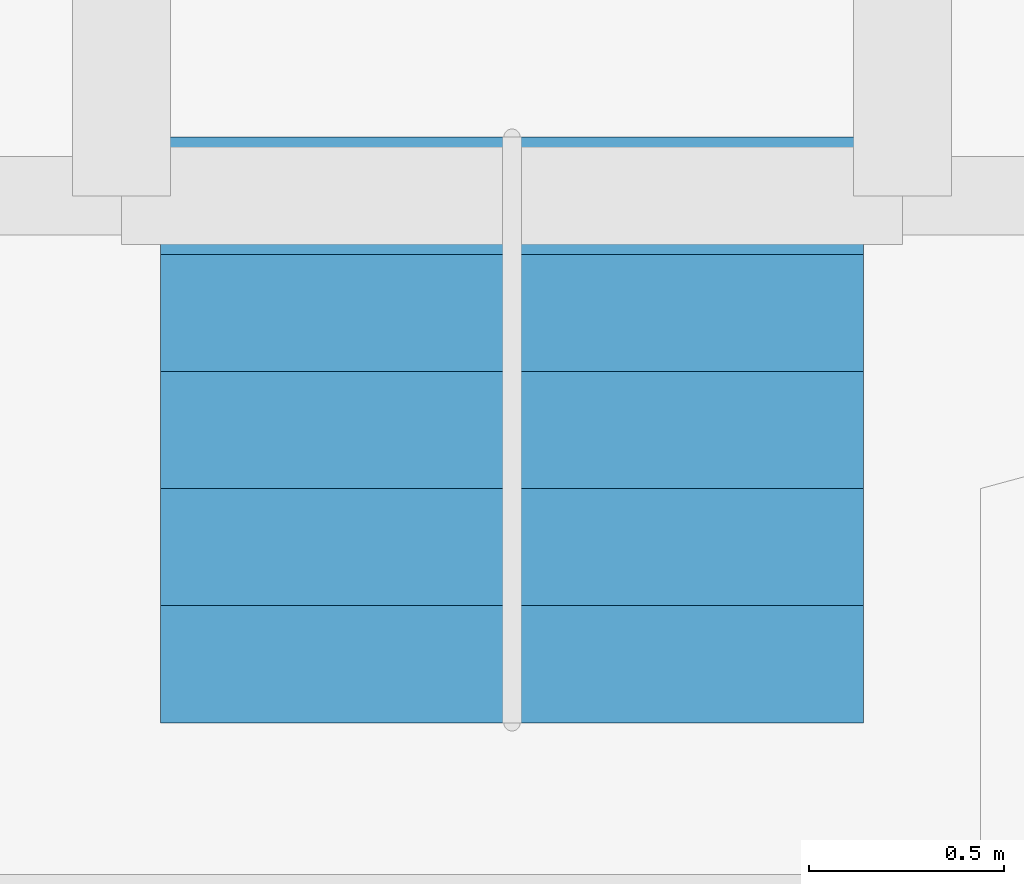
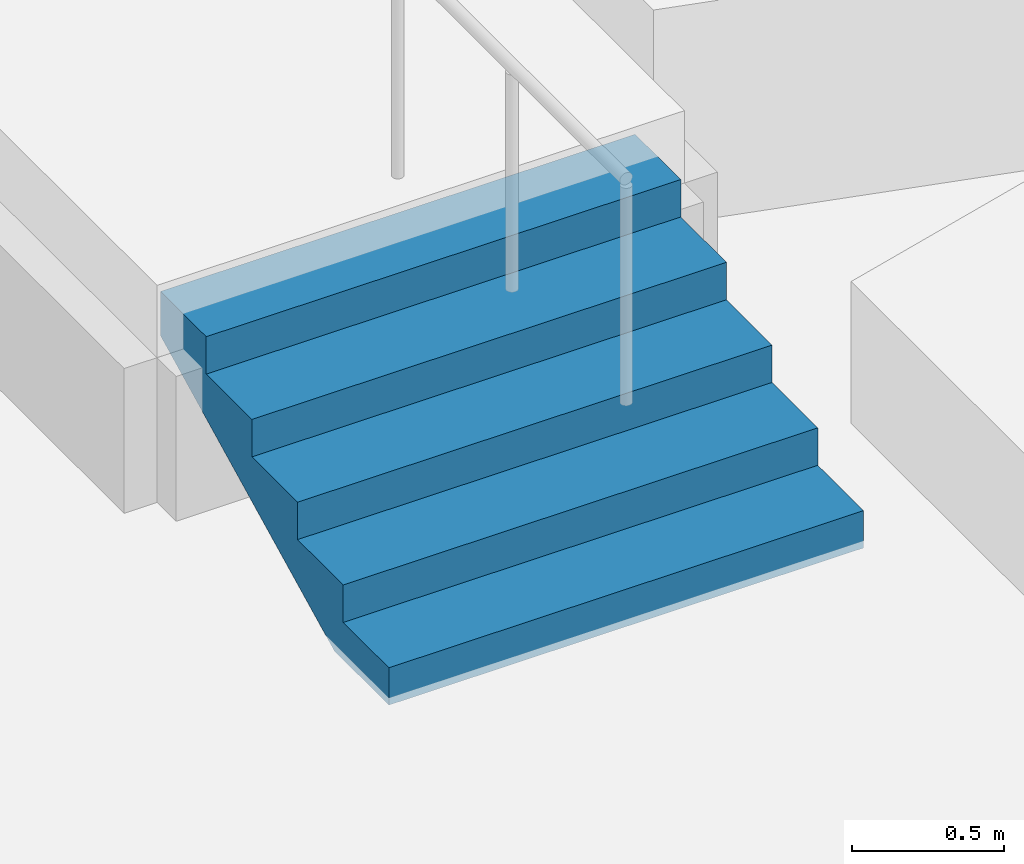
# One storey, part 97 of 112: 1 stair flight, 1 element without a shape of its own.
"""IFC4 building model written with IfcOpenShell, lengths in metres."""

from ifc_helpers import new_model, si_unit, direction, frame, origin, place, context, subcontext, project, spatial, triangles, material, layer, layer_set, type_object, element, aggregate, save


model = new_model("IFC4")

# Units and contexts
model_context = context("Model", 3, precision=1e-05, world=origin(), true_north=direction((0.0, 1.0)))
body_context = subcontext(model_context, "Body", "Model", "MODEL_VIEW")
ifc_project = project(units=[si_unit("LENGTHUNIT", "METRE"), si_unit("AREAUNIT", "SQUARE_METRE"), si_unit("VOLUMEUNIT", "CUBIC_METRE"), si_unit("PLANEANGLEUNIT", "RADIAN"), si_unit("MASSUNIT", "GRAM", prefix="KILO")], contexts=[model_context])

# Site, building, storey
site_placement = place(None, origin())
site = spatial("IfcSite", under=ifc_project, at=site_placement, CompositionType="ELEMENT")
building_placement = place(site_placement, origin())
building = spatial("IfcBuilding", under=site, at=building_placement, Name="Solvikara Media Centre", CompositionType="ELEMENT")
storey_placement = place(building_placement, frame((0.0, 0.0, 5.39990234375)))
storey = spatial("IfcBuildingStorey", under=building, at=storey_placement, Name="L01", CompositionType="ELEMENT", Elevation=5.39990234375)

# Stair, stair flight
ifc_material = material(Name="Concrete fc' 35 MPa (C35/45)", Category="concrete")
stair_type = type_object("IfcStairType", Name="SR-08", PredefinedType="STRAIGHT_RUN_STAIR", material=ifc_material)
stair_placement = place(storey_placement, origin())
stair = element("IfcStair", 1, at=stair_placement, inside=storey, type_object=stair_type, Name="ST-MX4-AISLE", PredefinedType="STRAIGHT_RUN_STAIR")
ifc_layer = layer(ifc_material, 0.159912109375)
ifc_layer_set = layer_set([ifc_layer], Name="Concrete fc' 35 MPa (C35/45)")
stair_flight_type = type_object("IfcStairFlightType", Name="SF-08", PredefinedType="STRAIGHT", material=ifc_layer_set)
stair_flight_placement = place(storey_placement, frame((3.0, 38.85009765625, 0.0), z_axis=(0.0, 0.0, 1.0), x_axis=(0.0, 1.0, 0.0)))
stair_flight = element("IfcStairFlight", 2, at=stair_flight_placement, type_object=stair_flight_type, Name="ST-MX4-AISLE-F1", NumberOfRisers=6, NumberOfTreads=5, PredefinedType="STRAIGHT", RiserHeight=0.15, TreadLength=0.3, context=body_context, shape_type="Tessellation", body=[
    triangles([(0.357666015625, -0.9000244140625, 0.0), (1.5, -0.9000244140625, 0.5712890625), (1.5, -0.9000244140625, 0.75), (1.199951171875, -0.9000244140625, 0.75), (1.199951171875, -0.9000244140625, 0.60009765625), (0.89990234375, -0.9000244140625, 0.60009765625), (0.89990234375, -0.9000244140625, 0.449951171875), (0.60009765625, -0.9000244140625, 0.449951171875), (0.60009765625, -0.9000244140625, 0.300048828125), (0.300048828125, -0.9000244140625, 0.300048828125), (0.300048828125, -0.9000244140625, 0.14990234375), (0.0, -0.9000244140625, 0.14990234375), (0.0, -0.9000244140625, 0.0), (0.357666015625, -0.675018310546875, 0.0), (1.5, -0.675018310546875, 0.5712890625), (1.5, -0.675018310546875, 0.75), (1.199951171875, -0.675018310546875, 0.75), (1.199951171875, -0.675018310546875, 0.60009765625), (0.89990234375, -0.675018310546875, 0.60009765625), (0.89990234375, -0.675018310546875, 0.449951171875), (0.60009765625, -0.675018310546875, 0.449951171875), (0.60009765625, -0.675018310546875, 0.300048828125), (0.300048828125, -0.675018310546875, 0.300048828125), (0.300048828125, -0.675018310546875, 0.14990234375), (0.0, -0.675018310546875, 0.14990234375), (0.0, -0.675018310546875, 0.0), (0.357666015625, -0.45001220703125, 0.0), (1.5, -0.45001220703125, 0.5712890625), (1.5, -0.45001220703125, 0.75), (1.199951171875, -0.45001220703125, 0.75), (1.199951171875, -0.45001220703125, 0.60009765625), (0.89990234375, -0.45001220703125, 0.60009765625), (0.89990234375, -0.45001220703125, 0.449951171875), (0.60009765625, -0.45001220703125, 0.449951171875), (0.60009765625, -0.45001220703125, 0.300048828125), (0.300048828125, -0.45001220703125, 0.300048828125), (0.300048828125, -0.45001220703125, 0.14990234375), (0.0, -0.45001220703125, 0.14990234375), (0.0, -0.45001220703125, 0.0), (0.357666015625, -0.225006103515625, 0.0), (1.5, -0.225006103515625, 0.5712890625), (1.5, -0.225006103515625, 0.75), (1.199951171875, -0.225006103515625, 0.75), (1.199951171875, -0.225006103515625, 0.60009765625), (0.89990234375, -0.225006103515625, 0.60009765625), (0.89990234375, -0.225006103515625, 0.449951171875), (0.60009765625, -0.225006103515625, 0.449951171875), (0.60009765625, -0.225006103515625, 0.300048828125), (0.300048828125, -0.225006103515625, 0.300048828125), (0.300048828125, -0.225006103515625, 0.14990234375), (0.0, -0.225006103515625, 0.14990234375), (0.0, -0.225006103515625, 0.0), (0.357666015625, 0.0, 0.0), (1.5, 0.0, 0.5712890625), (1.5, 0.0, 0.75), (1.199951171875, 0.0, 0.75), (1.199951171875, 0.0, 0.60009765625), (0.89990234375, 0.0, 0.60009765625), (0.89990234375, 0.0, 0.449951171875), (0.60009765625, 0.0, 0.449951171875), (0.60009765625, 0.0, 0.300048828125), (0.300048828125, 0.0, 0.300048828125), (0.300048828125, 0.0, 0.14990234375), (0.0, 0.0, 0.14990234375), (0.0, 0.0, 0.0), (0.357666015625, 0.225006103515625, 0.0), (1.5, 0.225006103515625, 0.5712890625), (1.5, 0.225006103515625, 0.75), (1.199951171875, 0.225006103515625, 0.75), (1.199951171875, 0.225006103515625, 0.60009765625), (0.89990234375, 0.225006103515625, 0.60009765625), (0.89990234375, 0.225006103515625, 0.449951171875), (0.60009765625, 0.225006103515625, 0.449951171875), (0.60009765625, 0.225006103515625, 0.300048828125), (0.300048828125, 0.225006103515625, 0.300048828125), (0.300048828125, 0.225006103515625, 0.14990234375), (0.0, 0.225006103515625, 0.14990234375), (0.0, 0.225006103515625, 0.0), (0.357666015625, 0.45001220703125, 0.0), (1.5, 0.45001220703125, 0.5712890625), (1.5, 0.45001220703125, 0.75), (1.199951171875, 0.45001220703125, 0.75), (1.199951171875, 0.45001220703125, 0.60009765625), (0.89990234375, 0.45001220703125, 0.60009765625), (0.89990234375, 0.45001220703125, 0.449951171875), (0.60009765625, 0.45001220703125, 0.449951171875), (0.60009765625, 0.45001220703125, 0.300048828125), (0.300048828125, 0.45001220703125, 0.300048828125), (0.300048828125, 0.45001220703125, 0.14990234375), (0.0, 0.45001220703125, 0.14990234375), (0.0, 0.45001220703125, 0.0), (0.357666015625, 0.675018310546875, 0.0), (1.5, 0.675018310546875, 0.5712890625), (1.5, 0.675018310546875, 0.75), (1.199951171875, 0.675018310546875, 0.75), (1.199951171875, 0.675018310546875, 0.60009765625), (0.89990234375, 0.675018310546875, 0.60009765625), (0.89990234375, 0.675018310546875, 0.449951171875), (0.60009765625, 0.675018310546875, 0.449951171875), (0.60009765625, 0.675018310546875, 0.300048828125), (0.300048828125, 0.675018310546875, 0.300048828125), (0.300048828125, 0.675018310546875, 0.14990234375), (0.0, 0.675018310546875, 0.14990234375), (0.0, 0.675018310546875, 0.0), (0.357666015625, 0.9000244140625, 0.0), (1.5, 0.9000244140625, 0.5712890625), (1.5, 0.9000244140625, 0.75), (1.199951171875, 0.9000244140625, 0.75), (1.199951171875, 0.9000244140625, 0.60009765625), (0.89990234375, 0.9000244140625, 0.60009765625), (0.89990234375, 0.9000244140625, 0.449951171875), (0.60009765625, 0.9000244140625, 0.449951171875), (0.60009765625, 0.9000244140625, 0.300048828125), (0.300048828125, 0.9000244140625, 0.300048828125), (0.300048828125, 0.9000244140625, 0.14990234375), (0.0, 0.9000244140625, 0.14990234375), (0.0, 0.9000244140625, 0.0), (0.9288330078125, -0.7875213623046875, 0.28564453125), (1.5, -0.7875213623046875, 0.66064453125), (1.3499755859375, -0.7875213623046875, 0.75), (1.199951171875, -0.7875213623046875, 0.675048828125), (1.0499267578125, -0.7875213623046875, 0.60009765625), (0.89990234375, -0.7875213623046875, 0.5250244140625), (0.75, -0.7875213623046875, 0.449951171875), (0.60009765625, -0.7875213623046875, 0.375), (0.4500732421875, -0.7875213623046875, 0.300048828125), (0.300048828125, -0.7875213623046875, 0.2249755859375), (0.1500244140625, -0.7875213623046875, 0.14990234375), (0.0, -0.7875213623046875, 0.074951171875), (0.1788330078125, -0.7875213623046875, 0.0), (0.9288330078125, -0.5625152587890625, 0.28564453125), (1.5, -0.5625152587890625, 0.66064453125), (1.3499755859375, -0.5625152587890625, 0.75), (1.199951171875, -0.5625152587890625, 0.675048828125), (1.0499267578125, -0.5625152587890625, 0.60009765625), (0.89990234375, -0.5625152587890625, 0.5250244140625), (0.75, -0.5625152587890625, 0.449951171875), (0.60009765625, -0.5625152587890625, 0.375), (0.4500732421875, -0.5625152587890625, 0.300048828125), (0.300048828125, -0.5625152587890625, 0.2249755859375), (0.1500244140625, -0.5625152587890625, 0.14990234375), (0.0, -0.5625152587890625, 0.074951171875), (0.1788330078125, -0.5625152587890625, 0.0), (0.9288330078125, -0.3375091552734375, 0.28564453125), (1.5, -0.3375091552734375, 0.66064453125), (1.3499755859375, -0.3375091552734375, 0.75), (1.199951171875, -0.3375091552734375, 0.675048828125), (1.0499267578125, -0.3375091552734375, 0.60009765625), (0.89990234375, -0.3375091552734375, 0.5250244140625), (0.75, -0.3375091552734375, 0.449951171875), (0.60009765625, -0.3375091552734375, 0.375), (0.4500732421875, -0.3375091552734375, 0.300048828125), (0.300048828125, -0.3375091552734375, 0.2249755859375), (0.1500244140625, -0.3375091552734375, 0.14990234375), (0.0, -0.3375091552734375, 0.074951171875), (0.1788330078125, -0.3375091552734375, 0.0), (0.9288330078125, -0.1125030517578125, 0.28564453125), (1.5, -0.1125030517578125, 0.66064453125), (1.3499755859375, -0.1125030517578125, 0.75), (1.199951171875, -0.1125030517578125, 0.675048828125), (1.0499267578125, -0.1125030517578125, 0.60009765625), (0.89990234375, -0.1125030517578125, 0.5250244140625), (0.75, -0.1125030517578125, 0.449951171875), (0.60009765625, -0.1125030517578125, 0.375), (0.4500732421875, -0.1125030517578125, 0.300048828125), (0.300048828125, -0.1125030517578125, 0.2249755859375), (0.1500244140625, -0.1125030517578125, 0.14990234375), (0.0, -0.1125030517578125, 0.074951171875), (0.1788330078125, -0.1125030517578125, 0.0), (0.9288330078125, 0.1125030517578125, 0.28564453125), (1.5, 0.1125030517578125, 0.66064453125), (1.3499755859375, 0.1125030517578125, 0.75), (1.199951171875, 0.1125030517578125, 0.675048828125), (1.0499267578125, 0.1125030517578125, 0.60009765625), (0.89990234375, 0.1125030517578125, 0.5250244140625), (0.75, 0.1125030517578125, 0.449951171875), (0.60009765625, 0.1125030517578125, 0.375), (0.4500732421875, 0.1125030517578125, 0.300048828125), (0.300048828125, 0.1125030517578125, 0.2249755859375), (0.1500244140625, 0.1125030517578125, 0.14990234375), (0.0, 0.1125030517578125, 0.074951171875), (0.1788330078125, 0.1125030517578125, 0.0), (0.9288330078125, 0.3375091552734375, 0.28564453125), (1.5, 0.3375091552734375, 0.66064453125), (1.3499755859375, 0.3375091552734375, 0.75), (1.199951171875, 0.3375091552734375, 0.675048828125), (1.0499267578125, 0.3375091552734375, 0.60009765625), (0.89990234375, 0.3375091552734375, 0.5250244140625), (0.75, 0.3375091552734375, 0.449951171875), (0.60009765625, 0.3375091552734375, 0.375), (0.4500732421875, 0.3375091552734375, 0.300048828125), (0.300048828125, 0.3375091552734375, 0.2249755859375), (0.1500244140625, 0.3375091552734375, 0.14990234375), (0.0, 0.3375091552734375, 0.074951171875), (0.1788330078125, 0.3375091552734375, 0.0), (0.9288330078125, 0.5625152587890625, 0.28564453125), (1.5, 0.5625152587890625, 0.66064453125), (1.3499755859375, 0.5625152587890625, 0.75), (1.199951171875, 0.5625152587890625, 0.675048828125), (1.0499267578125, 0.5625152587890625, 0.60009765625), (0.89990234375, 0.5625152587890625, 0.5250244140625), (0.75, 0.5625152587890625, 0.449951171875), (0.60009765625, 0.5625152587890625, 0.375), (0.4500732421875, 0.5625152587890625, 0.300048828125), (0.300048828125, 0.5625152587890625, 0.2249755859375), (0.1500244140625, 0.5625152587890625, 0.14990234375), (0.0, 0.5625152587890625, 0.074951171875), (0.1788330078125, 0.5625152587890625, 0.0), (0.9288330078125, 0.7875213623046875, 0.28564453125), (1.5, 0.7875213623046875, 0.66064453125), (1.3499755859375, 0.7875213623046875, 0.75), (1.199951171875, 0.7875213623046875, 0.675048828125), (1.0499267578125, 0.7875213623046875, 0.60009765625), (0.89990234375, 0.7875213623046875, 0.5250244140625), (0.75, 0.7875213623046875, 0.449951171875), (0.60009765625, 0.7875213623046875, 0.375), (0.4500732421875, 0.7875213623046875, 0.300048828125), (0.300048828125, 0.7875213623046875, 0.2249755859375), (0.1500244140625, 0.7875213623046875, 0.14990234375), (0.0, 0.7875213623046875, 0.074951171875), (0.1788330078125, 0.7875213623046875, 0.0)], [[1, 14, 118], [14, 15, 118], [15, 2, 118], [2, 1, 118], [2, 15, 119], [15, 16, 119], [16, 3, 119], [3, 2, 119], [3, 16, 120], [16, 17, 120], [17, 4, 120], [4, 3, 120], [4, 17, 121], [17, 18, 121], [18, 5, 121], [5, 4, 121], [5, 18, 122], [18, 19, 122], [19, 6, 122], [6, 5, 122], [6, 19, 123], [19, 20, 123], [20, 7, 123], [7, 6, 123], [7, 20, 124], [20, 21, 124], [21, 8, 124], [8, 7, 124], [8, 21, 125], [21, 22, 125], [22, 9, 125], [9, 8, 125], [9, 22, 126], [22, 23, 126], [23, 10, 126], [10, 9, 126], [10, 23, 127], [23, 24, 127], [24, 11, 127], [11, 10, 127], [11, 24, 128], [24, 25, 128], [25, 12, 128], [12, 11, 128], [12, 25, 129], [25, 26, 129], [26, 13, 129], [13, 12, 129], [13, 26, 130], [26, 14, 130], [14, 1, 130], [1, 13, 130], [14, 27, 131], [27, 28, 131], [28, 15, 131], [15, 14, 131], [15, 28, 132], [28, 29, 132], [29, 16, 132], [16, 15, 132], [16, 29, 133], [29, 30, 133], [30, 17, 133], [17, 16, 133], [17, 30, 134], [30, 31, 134], [31, 18, 134], [18, 17, 134], [18, 31, 135], [31, 32, 135], [32, 19, 135], [19, 18, 135], [19, 32, 136], [32, 33, 136], [33, 20, 136], [20, 19, 136], [20, 33, 137], [33, 34, 137], [34, 21, 137], [21, 20, 137], [21, 34, 138], [34, 35, 138], [35, 22, 138], [22, 21, 138], [22, 35, 139], [35, 36, 139], [36, 23, 139], [23, 22, 139], [23, 36, 140], [36, 37, 140], [37, 24, 140], [24, 23, 140], [24, 37, 141], [37, 38, 141], [38, 25, 141], [25, 24, 141], [25, 38, 142], [38, 39, 142], [39, 26, 142], [26, 25, 142], [26, 39, 143], [39, 27, 143], [27, 14, 143], [14, 26, 143], [27, 40, 144], [40, 41, 144], [41, 28, 144], [28, 27, 144], [28, 41, 145], [41, 42, 145], [42, 29, 145], [29, 28, 145], [29, 42, 146], [42, 43, 146], [43, 30, 146], [30, 29, 146], [30, 43, 147], [43, 44, 147], [44, 31, 147], [31, 30, 147], [31, 44, 148], [44, 45, 148], [45, 32, 148], [32, 31, 148], [32, 45, 149], [45, 46, 149], [46, 33, 149], [33, 32, 149], [33, 46, 150], [46, 47, 150], [47, 34, 150], [34, 33, 150], [34, 47, 151], [47, 48, 151], [48, 35, 151], [35, 34, 151], [35, 48, 152], [48, 49, 152], [49, 36, 152], [36, 35, 152], [36, 49, 153], [49, 50, 153], [50, 37, 153], [37, 36, 153], [37, 50, 154], [50, 51, 154], [51, 38, 154], [38, 37, 154], [38, 51, 155], [51, 52, 155], [52, 39, 155], [39, 38, 155], [39, 52, 156], [52, 40, 156], [40, 27, 156], [27, 39, 156], [40, 53, 157], [53, 54, 157], [54, 41, 157], [41, 40, 157], [41, 54, 158], [54, 55, 158], [55, 42, 158], [42, 41, 158], [42, 55, 159], [55, 56, 159], [56, 43, 159], [43, 42, 159], [43, 56, 160], [56, 57, 160], [57, 44, 160], [44, 43, 160], [44, 57, 161], [57, 58, 161], [58, 45, 161], [45, 44, 161], [45, 58, 162], [58, 59, 162], [59, 46, 162], [46, 45, 162], [46, 59, 163], [59, 60, 163], [60, 47, 163], [47, 46, 163], [47, 60, 164], [60, 61, 164], [61, 48, 164], [48, 47, 164], [48, 61, 165], [61, 62, 165], [62, 49, 165], [49, 48, 165], [49, 62, 166], [62, 63, 166], [63, 50, 166], [50, 49, 166], [50, 63, 167], [63, 64, 167], [64, 51, 167], [51, 50, 167], [51, 64, 168], [64, 65, 168], [65, 52, 168], [52, 51, 168], [52, 65, 169], [65, 53, 169], [53, 40, 169], [40, 52, 169], [53, 66, 170], [66, 67, 170], [67, 54, 170], [54, 53, 170], [54, 67, 171], [67, 68, 171], [68, 55, 171], [55, 54, 171], [55, 68, 172], [68, 69, 172], [69, 56, 172], [56, 55, 172], [56, 69, 173], [69, 70, 173], [70, 57, 173], [57, 56, 173], [57, 70, 174], [70, 71, 174], [71, 58, 174], [58, 57, 174], [58, 71, 175], [71, 72, 175], [72, 59, 175], [59, 58, 175], [59, 72, 176], [72, 73, 176], [73, 60, 176], [60, 59, 176], [60, 73, 177], [73, 74, 177], [74, 61, 177], [61, 60, 177], [61, 74, 178], [74, 75, 178], [75, 62, 178], [62, 61, 178], [62, 75, 179], [75, 76, 179], [76, 63, 179], [63, 62, 179], [63, 76, 180], [76, 77, 180], [77, 64, 180], [64, 63, 180], [64, 77, 181], [77, 78, 181], [78, 65, 181], [65, 64, 181], [65, 78, 182], [78, 66, 182], [66, 53, 182], [53, 65, 182], [66, 79, 183], [79, 80, 183], [80, 67, 183], [67, 66, 183], [67, 80, 184], [80, 81, 184], [81, 68, 184], [68, 67, 184], [68, 81, 185], [81, 82, 185], [82, 69, 185], [69, 68, 185], [69, 82, 186], [82, 83, 186], [83, 70, 186], [70, 69, 186], [70, 83, 187], [83, 84, 187], [84, 71, 187], [71, 70, 187], [71, 84, 188], [84, 85, 188], [85, 72, 188], [72, 71, 188], [72, 85, 189], [85, 86, 189], [86, 73, 189], [73, 72, 189], [73, 86, 190], [86, 87, 190], [87, 74, 190], [74, 73, 190], [74, 87, 191], [87, 88, 191], [88, 75, 191], [75, 74, 191], [75, 88, 192], [88, 89, 192], [89, 76, 192], [76, 75, 192], [76, 89, 193], [89, 90, 193], [90, 77, 193], [77, 76, 193], [77, 90, 194], [90, 91, 194], [91, 78, 194], [78, 77, 194], [78, 91, 195], [91, 79, 195], [79, 66, 195], [66, 78, 195], [79, 92, 196], [92, 93, 196], [93, 80, 196], [80, 79, 196], [80, 93, 197], [93, 94, 197], [94, 81, 197], [81, 80, 197], [81, 94, 198], [94, 95, 198], [95, 82, 198], [82, 81, 198], [82, 95, 199], [95, 96, 199], [96, 83, 199], [83, 82, 199], [83, 96, 200], [96, 97, 200], [97, 84, 200], [84, 83, 200], [84, 97, 201], [97, 98, 201], [98, 85, 201], [85, 84, 201], [85, 98, 202], [98, 99, 202], [99, 86, 202], [86, 85, 202], [86, 99, 203], [99, 100, 203], [100, 87, 203], [87, 86, 203], [87, 100, 204], [100, 101, 204], [101, 88, 204], [88, 87, 204], [88, 101, 205], [101, 102, 205], [102, 89, 205], [89, 88, 205], [89, 102, 206], [102, 103, 206], [103, 90, 206], [90, 89, 206], [90, 103, 207], [103, 104, 207], [104, 91, 207], [91, 90, 207], [91, 104, 208], [104, 92, 208], [92, 79, 208], [79, 91, 208], [92, 105, 209], [105, 106, 209], [106, 93, 209], [93, 92, 209], [93, 106, 210], [106, 107, 210], [107, 94, 210], [94, 93, 210], [94, 107, 211], [107, 108, 211], [108, 95, 211], [95, 94, 211], [95, 108, 212], [108, 109, 212], [109, 96, 212], [96, 95, 212], [96, 109, 213], [109, 110, 213], [110, 97, 213], [97, 96, 213], [97, 110, 214], [110, 111, 214], [111, 98, 214], [98, 97, 214], [98, 111, 215], [111, 112, 215], [112, 99, 215], [99, 98, 215], [99, 112, 216], [112, 113, 216], [113, 100, 216], [100, 99, 216], [100, 113, 217], [113, 114, 217], [114, 101, 217], [101, 100, 217], [101, 114, 218], [114, 115, 218], [115, 102, 218], [102, 101, 218], [102, 115, 219], [115, 116, 219], [116, 103, 219], [103, 102, 219], [103, 116, 220], [116, 117, 220], [117, 104, 220], [104, 103, 220], [104, 117, 221], [117, 105, 221], [105, 92, 221], [92, 104, 221], [13, 1, 2], [117, 106, 105], [2, 3, 4], [106, 108, 107], [2, 4, 5], [106, 109, 108], [2, 5, 6], [106, 110, 109], [2, 6, 7], [106, 111, 110], [7, 8, 9], [111, 113, 112], [2, 7, 9], [106, 113, 111], [9, 10, 11], [113, 115, 114], [2, 9, 11], [106, 115, 113], [13, 2, 11], [117, 115, 106], [11, 12, 13], [115, 117, 116]], closed=True),
])
aggregate(stair, [stair_flight])

save(model, "model.ifc")
